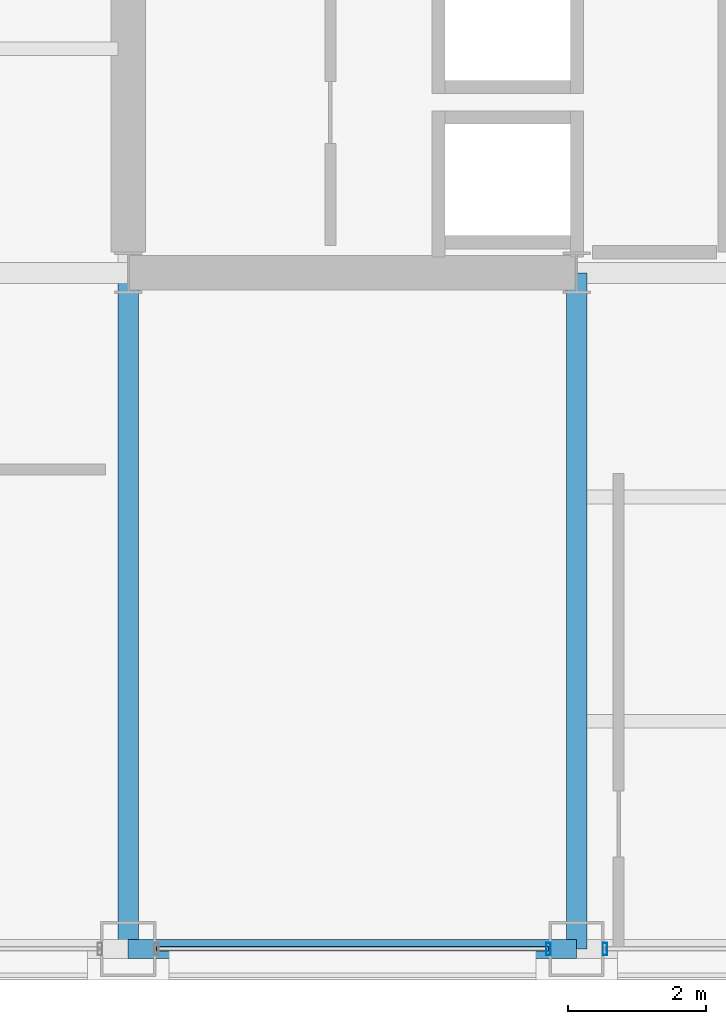
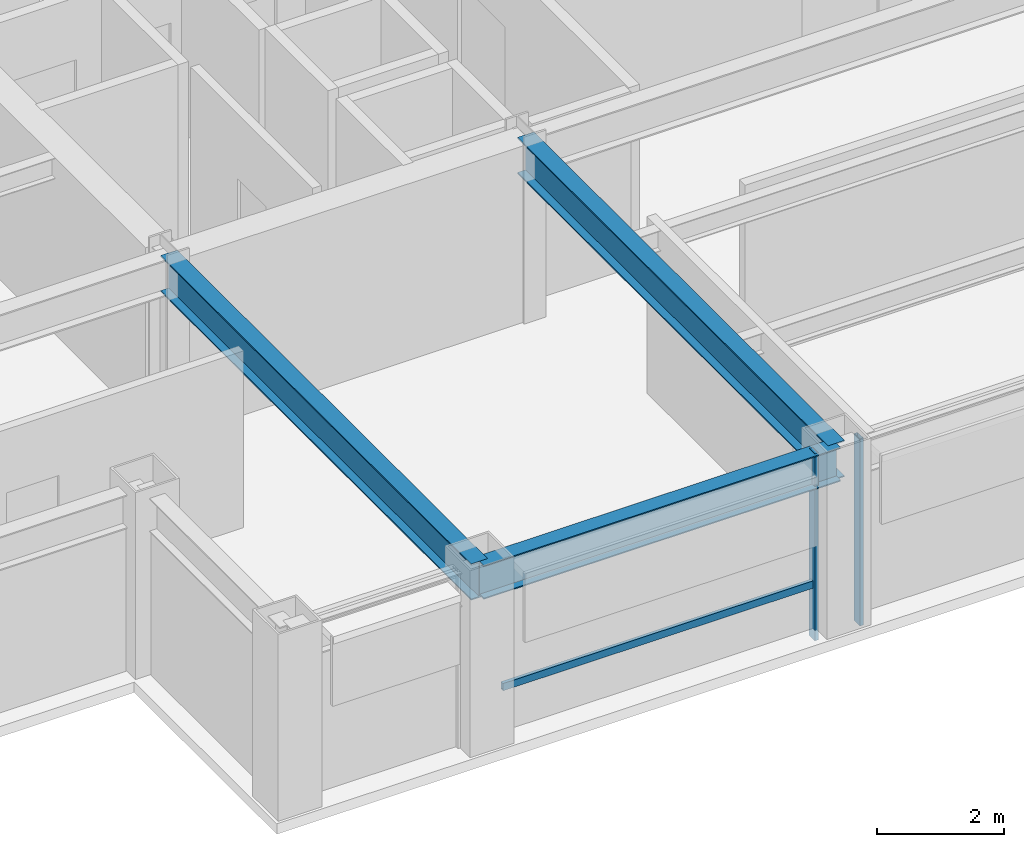
# One storey, part 3 of 29: 3 beams, 3 members, 2 elements without a shape of their own.
"""IFC4 building model written with IfcOpenShell, lengths in metres."""

from ifc_helpers import new_model, si_unit, direction, frame, origin, origin_2d, place, context, subcontext, project, spatial, hollow_rectangle, i_section, extrude, material, layer, layer_set, material_profile, profile_set, type_object, element, aggregate, save


model = new_model("IFC4")

# Units and contexts
model_context = context("Model", 3, precision=1e-05, world=origin(), true_north=direction((0.0, 1.0)))
body_context = subcontext(model_context, "Body", "Model", "MODEL_VIEW")
ifc_project = project(units=[si_unit("LENGTHUNIT", "METRE"), si_unit("AREAUNIT", "SQUARE_METRE"), si_unit("VOLUMEUNIT", "CUBIC_METRE"), si_unit("PLANEANGLEUNIT", "RADIAN"), si_unit("MASSUNIT", "GRAM", prefix="KILO")], contexts=[model_context])

# Site, building, storey
site_placement = place(None, origin())
site = spatial("IfcSite", under=ifc_project, at=site_placement, CompositionType="ELEMENT")
building_placement = place(site_placement, origin())
building = spatial("IfcBuilding", under=site, at=building_placement, Name="Brelmoor Portico Tower", CompositionType="ELEMENT")
storey_placement = place(building_placement, frame((0.0, 0.0, 124.199951171875)))
storey = spatial("IfcBuildingStorey", under=building, at=storey_placement, Name="L32", CompositionType="ELEMENT", Elevation=124.199951171875)

# Beams
ifc_material_1 = material(Name="Steel Q355B", Category="steel")
ifc_material_profile_1 = material_profile(ifc_material_1, i_section(OverallWidth=0.300048828125, OverallDepth=0.699951171875, WebThickness=0.012939453125, FlangeThickness=0.02392578125, at=origin_2d()), Name="HN 700x300x13x24")
ifc_profile_set_1 = profile_set([ifc_material_profile_1], Name="Steel Q355B")
beam_type_1 = type_object("IfcBeamType", Name="BM-PG-700", PredefinedType="BEAM", material=ifc_profile_set_1)
for number, where, z_axis, x_axis, name in (
    (1, (-14.550048828125, -19.550048828125, 3.050048828125), (0.0, 1.0, 0.0), (-1.0, 0.0, 0.0), "L32 Primary Floor Girder PG-01"),
    (2, (-8.050048828125, -19.550048828125, 3.050048828125), (0.0, 1.0, 0.0), (-1.0, 0.0, 0.0), "L32 Primary Floor Girder PG-05"),
):
    element("IfcBeam", number, at=place(storey_placement, frame(where, z_axis=z_axis, x_axis=x_axis)), inside=storey, type_object=beam_type_1, Name=name, PredefinedType="BEAM", context=body_context, shape_type="SweptSolid", body=[
        extrude(i_section(OverallWidth=0.300048828125, OverallDepth=0.699951171875, WebThickness=0.012939453125, FlangeThickness=0.02392578125, at=origin_2d()), origin(), (0.0, 0.0, 1.0), 9.800048828125),
    ])
ifc_material_profile_2 = material_profile(ifc_material_1, i_section(OverallWidth=0.280029296875, OverallDepth=0.64990234375, WebThickness=0.012939453125, FlangeThickness=0.02197265625, at=origin_2d()), Name="HN 650x280x13x22")
ifc_profile_set_2 = profile_set([ifc_material_profile_2], Name="Steel Q355B")
beam_type_2 = type_object("IfcBeamType", Name="BM-SP-650", PredefinedType="SPANDREL", material=ifc_profile_set_2)
beam_placement = place(storey_placement, frame((-14.550048828125, -19.550048828125, 3.074951171875), z_axis=(1.0, 0.0, 0.0), x_axis=(0.0, 1.0, 0.0)))
element("IfcBeam", 3, at=beam_placement, inside=storey, type_object=beam_type_2, Name="L32 Perimeter Spandrel Beam SP-02", PredefinedType="SPANDREL", context=body_context, shape_type="SweptSolid", body=[
    extrude(i_section(OverallWidth=0.280029296875, OverallDepth=0.64990234375, WebThickness=0.012939453125, FlangeThickness=0.02197265625, at=origin_2d()), origin(), (0.0, 0.0, 1.0), 6.5),
])

# Curtain wall, member
ifc_material_2 = material(Name="Anodised Aluminium Alloy 6063-T6", Category="aluminium")
ifc_layer_1 = layer(ifc_material_2, 0.179931640625)
ifc_layer_set_1 = layer_set([ifc_layer_1], Name="Anodised Aluminium Alloy 6063-T6")
curtain_wall_type_1 = type_object("IfcCurtainWallType", Name="CW-TOWER-Z2", PredefinedType="NOTDEFINED", material=ifc_layer_set_1)
curtain_wall_1_placement = place(storey_placement, origin())
curtain_wall_1 = element("IfcCurtainWall", 4, at=curtain_wall_1_placement, inside=storey, type_object=curtain_wall_type_1, Name="L32 Curtain Wall CW-L32-01-2", PredefinedType="NOTDEFINED")
ifc_material_profile_3 = material_profile(ifc_material_2, hollow_rectangle(XDim=0.06494140625, YDim=0.179931640625, WallThickness=0.00390625, at=origin_2d()), Name="ALU MULLION 65x180")
ifc_profile_set_3 = profile_set([ifc_material_profile_3], Name="Anodised Aluminium Alloy 6063-T6")
member_type_1 = type_object("IfcMemberType", Name="MB-CW-MULL-180", PredefinedType="MULLION", material=ifc_profile_set_3)
member_1_placement = place(storey_placement, frame((-8.4599609375, -19.550048828125, -0.199951171875), z_axis=(0.0, 0.0, 1.0), x_axis=(1.0, 0.0, 0.0)))
member_1 = element("IfcMember", 5, at=member_1_placement, type_object=member_type_1, Name="CW-L32-01-2 Mullion 01", PredefinedType="MULLION", context=body_context, shape_type="SweptSolid", body=[
    extrude(hollow_rectangle(XDim=0.06494140625, YDim=0.179931640625, WallThickness=0.00390625, at=origin_2d()), origin(), (0.0, 0.0, 1.0), 3.60009765625),
])

ifc_layer_2 = layer(ifc_material_2, 0.179931640625)
ifc_layer_set_2 = layer_set([ifc_layer_2], Name="Anodised Aluminium Alloy 6063-T6")
curtain_wall_type_2 = type_object("IfcCurtainWallType", Name="CW-TOWER-Z2-XB", PredefinedType="NOTDEFINED", material=ifc_layer_set_2)
curtain_wall_2_placement = place(storey_placement, origin())
curtain_wall_2 = element("IfcCurtainWall", 6, at=curtain_wall_2_placement, inside=storey, type_object=curtain_wall_type_2, Name="L32 Curtain Wall CW-L32-01-3", PredefinedType="NOTDEFINED")
member_2_placement = place(storey_placement, frame((-7.639892578125, -19.550048828125, -0.199951171875), z_axis=(0.0, 0.0, 1.0), x_axis=(1.0, 0.0, 0.0)))
member_2 = element("IfcMember", 7, at=member_2_placement, type_object=member_type_1, Name="CW-L32-01-3 Mullion 00", PredefinedType="MULLION", context=body_context, shape_type="SweptSolid", body=[
    extrude(hollow_rectangle(XDim=0.06494140625, YDim=0.179931640625, WallThickness=0.00390625, at=origin_2d()), origin(), (0.0, 0.0, 1.0), 3.60009765625),
])
aggregate(curtain_wall_2, [member_2])

# Member
ifc_material_profile_4 = material_profile(ifc_material_2, hollow_rectangle(XDim=0.06494140625, YDim=0.139892578125, WallThickness=0.00390625, at=origin_2d()), Name="ALU TRANSOM 65x140")
ifc_profile_set_4 = profile_set([ifc_material_profile_4], Name="Anodised Aluminium Alloy 6063-T6")
member_type_2 = type_object("IfcMemberType", Name="MB-CW-TRAN-140", PredefinedType="USERDEFINED", material=ifc_profile_set_4)
member_3_placement = place(storey_placement, frame((-14.139892578125, -19.550048828125, 0.85009765625), z_axis=(1.0, 0.0, 0.0), x_axis=(0.0, 1.0, 0.0)))
member_3 = element("IfcMember", 8, at=member_3_placement, type_object=member_type_2, Name="CW-L32-01-2 Transom 1-00", ObjectType="TRANSOM", PredefinedType="USERDEFINED", context=body_context, shape_type="SweptSolid", body=[
    extrude(hollow_rectangle(XDim=0.06494140625, YDim=0.139892578125, WallThickness=0.00390625, at=origin_2d()), origin(), (0.0, 0.0, 1.0), 5.679931640625),
])

aggregate(curtain_wall_1, [member_1, member_3])

save(model, "model.ifc")
